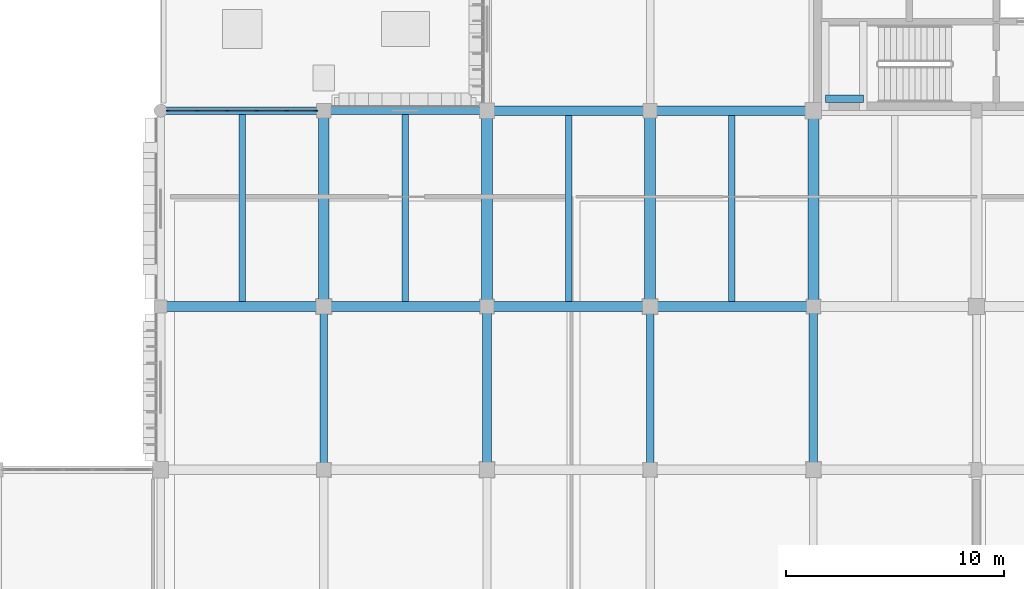
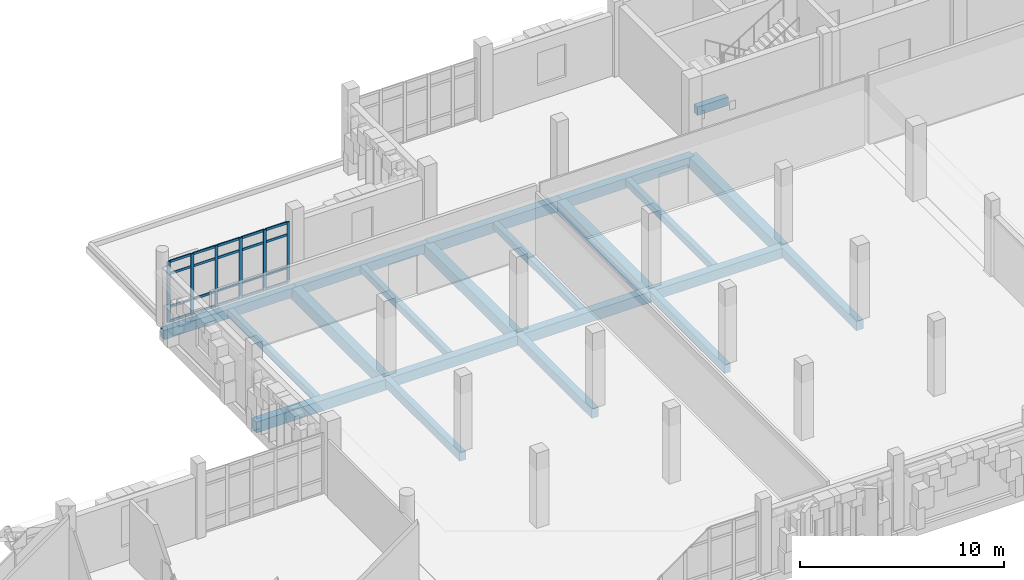
# One storey, part 49 of 128: 26 members, 21 beams, 1 element without a shape of its own.
"""IFC4 building model written with IfcOpenShell, lengths in metres."""

from ifc_helpers import new_model, si_unit, direction, frame, origin, origin_2d, place, context, subcontext, project, spatial, rectangle, extrude, material, layer, layer_set, material_profile, profile_set, type_object, element, aggregate, save


model = new_model("IFC4")

# Units and contexts
model_context = context("Model", 3, precision=1e-05, world=origin(), true_north=direction((0.0, 1.0)))
body_context = subcontext(model_context, "Body", "Model", "MODEL_VIEW")
ifc_project = project(units=[si_unit("LENGTHUNIT", "METRE"), si_unit("AREAUNIT", "SQUARE_METRE"), si_unit("VOLUMEUNIT", "CUBIC_METRE"), si_unit("PLANEANGLEUNIT", "RADIAN"), si_unit("MASSUNIT", "GRAM", prefix="KILO")], contexts=[model_context])

# Site, building, storey
site_placement = place(None, origin())
site = spatial("IfcSite", under=ifc_project, at=site_placement, CompositionType="ELEMENT")
building_placement = place(site_placement, origin())
building = spatial("IfcBuilding", under=site, at=building_placement, Name="Dalvernix Boulevard General Hospital", CompositionType="ELEMENT")
storey_placement = place(building_placement, frame((0.0, 0.0, 4.800048828125)))
storey = spatial("IfcBuildingStorey", under=building, at=storey_placement, Name="L01", CompositionType="ELEMENT", Elevation=4.800048828125)

# Beams
ifc_material_1 = material(Name="Concrete C35/45", Category="concrete")
ifc_material_profile_1 = material_profile(ifc_material_1, rectangle(XDim=0.5, YDim=0.699951171875, at=origin_2d()), Name="RCB 500x700")
ifc_profile_set_1 = profile_set([ifc_material_profile_1], Name="Concrete C35/45")
beam_type_1 = type_object("IfcBeamType", Name="BM-B-01-I", PredefinedType="BEAM", material=ifc_profile_set_1)
for number, where, z_axis, x_axis, name in (
    (1, (37.5, 100.5, -0.650146484375), (0.0, 1.0, 0.0), (-1.0, 0.0, 0.0), "L01 N-S girder 6:P-Q"),
    (2, (45.0, 100.5, -0.650146484375), (0.0, 1.0, 0.0), (-1.0, 0.0, 0.0), "L01 N-S girder 7:P-Q"),
    (3, (52.5, 100.5, -0.650146484375), (0.0, 1.0, 0.0), (-1.0, 0.0, 0.0), "L01 N-S girder 8:P-Q"),
    (4, (60.0, 100.5, -0.650146484375), (0.0, 1.0, 0.0), (-1.0, 0.0, 0.0), "L01 N-S girder 9:P-Q"),
):
    element("IfcBeam", number, at=place(storey_placement, frame(where, z_axis=z_axis, x_axis=x_axis)), inside=storey, type_object=beam_type_1, Name=name, PredefinedType="BEAM", context=body_context, shape_type="SweptSolid", body=[
        extrude(rectangle(XDim=0.5, YDim=0.699951171875, at=origin_2d()), origin(), (0.0, 0.0, 1.0), 9.0),
    ])
ifc_material_profile_2 = material_profile(ifc_material_1, rectangle(XDim=0.449951171875, YDim=0.64990234375, at=origin_2d()), Name="RCB 450x650")
ifc_profile_set_2 = profile_set([ifc_material_profile_2], Name="Concrete C35/45")
beam_type_2 = type_object("IfcBeamType", Name="BM-B-03-I", PredefinedType="BEAM", material=ifc_profile_set_2)
for number, where, z_axis, x_axis, name in (
    (5, (30.0, 100.5, -0.625), (1.0, 0.0, 0.0), (0.0, 1.0, 0.0), "L01 E-W girder P:5-6"),
    (6, (45.0, 100.5, -0.625), (1.0, 0.0, 0.0), (0.0, 1.0, 0.0), "L01 E-W girder P:7-8"),
    (7, (45.0, 109.5, -0.625), (1.0, 0.0, 0.0), (0.0, 1.0, 0.0), "L01 E-W girder Q:7-8"),
):
    element("IfcBeam", number, at=place(storey_placement, frame(where, z_axis=z_axis, x_axis=x_axis)), inside=storey, type_object=beam_type_2, Name=name, PredefinedType="BEAM", context=body_context, shape_type="SweptSolid", body=[
        extrude(rectangle(XDim=0.449951171875, YDim=0.64990234375, at=origin_2d()), origin(), (0.0, 0.0, 1.0), 7.5),
    ])
ifc_material_profile_3 = material_profile(ifc_material_1, rectangle(XDim=0.449951171875, YDim=0.60009765625, at=origin_2d()), Name="RCB 450x600")
ifc_profile_set_3 = profile_set([ifc_material_profile_3], Name="Concrete C35/45")
beam_type_3 = type_object("IfcBeamType", Name="BM-B-04-I", PredefinedType="BEAM", material=ifc_profile_set_3)
for number, where, z_axis, x_axis, name in (
    (8, (37.5, 100.5, -0.60009765625), (1.0, 0.0, 0.0), (0.0, 1.0, 0.0), "L01 E-W girder P:6-7"),
    (9, (52.5, 100.5, -0.60009765625), (1.0, 0.0, 0.0), (0.0, 1.0, 0.0), "L01 E-W girder P:8-9"),
    (10, (52.5, 109.5, -0.60009765625), (1.0, 0.0, 0.0), (0.0, 1.0, 0.0), "L01 E-W girder Q:8-9"),
):
    element("IfcBeam", number, at=place(storey_placement, frame(where, z_axis=z_axis, x_axis=x_axis)), inside=storey, type_object=beam_type_3, Name=name, PredefinedType="BEAM", context=body_context, shape_type="SweptSolid", body=[
        extrude(rectangle(XDim=0.449951171875, YDim=0.60009765625, at=origin_2d()), origin(), (0.0, 0.0, 1.0), 7.5),
    ])
ifc_material_profile_4 = material_profile(ifc_material_1, rectangle(XDim=0.39990234375, YDim=0.550048828125, at=origin_2d()), Name="RCB 400x550")
ifc_profile_set_4 = profile_set([ifc_material_profile_4], Name="Concrete C35/45")
beam_type_4 = type_object("IfcBeamType", Name="BM-B-06-I", PredefinedType="BEAM", material=ifc_profile_set_4)
for number, where, z_axis, x_axis, name in (
    (11, (45.0, 93.0, -0.574951171875), (0.0, 1.0, 0.0), (-1.0, 0.0, 0.0), "L01 N-S girder 7:N-P"),
    (12, (60.0, 93.0, -0.574951171875), (0.0, 1.0, 0.0), (-1.0, 0.0, 0.0), "L01 N-S girder 9:N-P"),
):
    element("IfcBeam", number, at=place(storey_placement, frame(where, z_axis=z_axis, x_axis=x_axis)), inside=storey, type_object=beam_type_4, Name=name, PredefinedType="BEAM", context=body_context, shape_type="SweptSolid", body=[
        extrude(rectangle(XDim=0.39990234375, YDim=0.550048828125, at=origin_2d()), origin(), (0.0, 0.0, 1.0), 7.5),
    ])
ifc_material_profile_5 = material_profile(ifc_material_1, rectangle(XDim=0.35009765625, YDim=0.5, at=origin_2d()), Name="RCB 350x500")
ifc_profile_set_5 = profile_set([ifc_material_profile_5], Name="Concrete C35/45")
beam_type_5 = type_object("IfcBeamType", Name="BM-B-08", PredefinedType="BEAM", material=ifc_profile_set_5)
beam_placement = place(storey_placement, frame((60.550048828125, 110.050048828125, 1.800048828125), z_axis=(1.0, 0.0, 0.0), x_axis=(0.0, 1.0, 0.0)))
element("IfcBeam", 13, at=beam_placement, inside=storey, type_object=beam_type_5, Name="L01 C3 stair half-landing tie beam", PredefinedType="BEAM", context=body_context, shape_type="SweptSolid", body=[
    extrude(rectangle(XDim=0.35009765625, YDim=0.5, at=origin_2d()), origin(), (0.0, 0.0, 1.0), 1.75),
])
ifc_material_profile_6 = material_profile(ifc_material_1, rectangle(XDim=0.35009765625, YDim=0.5, at=origin_2d()), Name="RCB 350x500")
ifc_profile_set_6 = profile_set([ifc_material_profile_6], Name="Concrete C35/45")
beam_type_6 = type_object("IfcBeamType", Name="BM-B-08-I", PredefinedType="BEAM", material=ifc_profile_set_6)
for number, where, z_axis, x_axis, name in (
    (14, (37.5, 93.0, -0.550048828125), (0.0, 1.0, 0.0), (-1.0, 0.0, 0.0), "L01 N-S girder 6:N-P"),
    (15, (52.5, 93.0, -0.550048828125), (0.0, 1.0, 0.0), (-1.0, 0.0, 0.0), "L01 N-S girder 8:N-P"),
):
    element("IfcBeam", number, at=place(storey_placement, frame(where, z_axis=z_axis, x_axis=x_axis)), inside=storey, type_object=beam_type_6, Name=name, PredefinedType="BEAM", context=body_context, shape_type="SweptSolid", body=[
        extrude(rectangle(XDim=0.35009765625, YDim=0.5, at=origin_2d()), origin(), (0.0, 0.0, 1.0), 7.5),
    ])
ifc_material_profile_7 = material_profile(ifc_material_1, rectangle(XDim=0.300048828125, YDim=0.39990234375, at=origin_2d()), Name="RCB 300x400")
ifc_profile_set_7 = profile_set([ifc_material_profile_7], Name="Concrete C35/45")
beam_type_7 = type_object("IfcBeamType", Name="BM-JB-01", PredefinedType="JOIST", material=ifc_profile_set_7)
for number, where, z_axis, x_axis, name in (
    (16, (33.75, 100.72509765625, -0.5), (0.0, 1.0, 0.0), (-1.0, 0.0, 0.0), "L01 secondary floor beam 5-P"),
    (17, (41.25, 100.72509765625, -0.5), (0.0, 1.0, 0.0), (-1.0, 0.0, 0.0), "L01 secondary floor beam 6-P"),
):
    element("IfcBeam", number, at=place(storey_placement, frame(where, z_axis=z_axis, x_axis=x_axis)), inside=storey, type_object=beam_type_7, Name=name, PredefinedType="JOIST", context=body_context, shape_type="SweptSolid", body=[
        extrude(rectangle(XDim=0.300048828125, YDim=0.39990234375, at=origin_2d()), origin(), (0.0, 0.0, 1.0), 8.599853515625),
    ])
for number, where, z_axis, x_axis, name in (
    (18, (48.75, 100.72509765625, -0.5), (0.0, 1.0, 0.0), (-1.0, 0.0, 0.0), "L01 secondary floor beam 7-P"),
    (19, (56.25, 100.72509765625, -0.5), (0.0, 1.0, 0.0), (-1.0, 0.0, 0.0), "L01 secondary floor beam 8-P"),
):
    element("IfcBeam", number, at=place(storey_placement, frame(where, z_axis=z_axis, x_axis=x_axis)), inside=storey, type_object=beam_type_7, Name=name, PredefinedType="JOIST", context=body_context, shape_type="SweptSolid", body=[
        extrude(rectangle(XDim=0.300048828125, YDim=0.39990234375, at=origin_2d()), origin(), (0.0, 0.0, 1.0), 8.5498046875),
    ])
ifc_material_profile_8 = material_profile(ifc_material_1, rectangle(XDim=0.35009765625, YDim=0.550048828125, at=origin_2d()), Name="RCB 350x550")
ifc_profile_set_8 = profile_set([ifc_material_profile_8], Name="Concrete C35/45")
beam_type_8 = type_object("IfcBeamType", Name="BM-SB-01-E", PredefinedType="SPANDREL", material=ifc_profile_set_8)
for number, where, z_axis, x_axis, name in (
    (20, (30.0, 109.5, -0.574951171875), (1.0, 0.0, 0.0), (0.0, 1.0, 0.0), "L01 E-W girder Q:5-6"),
    (21, (37.5, 109.5, -0.574951171875), (1.0, 0.0, 0.0), (0.0, 1.0, 0.0), "L01 E-W girder Q:6-7"),
):
    element("IfcBeam", number, at=place(storey_placement, frame(where, z_axis=z_axis, x_axis=x_axis)), inside=storey, type_object=beam_type_8, Name=name, PredefinedType="SPANDREL", context=body_context, shape_type="SweptSolid", body=[
        extrude(rectangle(XDim=0.35009765625, YDim=0.550048828125, at=origin_2d()), origin(), (0.0, 0.0, 1.0), 7.5),
    ])

# Curtain wall, members
ifc_material_2 = material(Name="Thermally broken aluminium and solar-control glass curtain wall", Category="aluminium")
ifc_layer = layer(ifc_material_2, 0.179931640625)
ifc_layer_set = layer_set([ifc_layer], Name="Thermally broken aluminium and solar-control glass curtain wall (CW-CW-B-69x36)")
curtain_wall_type = type_object("IfcCurtainWallType", Name="CW-CW-B-69x36", PredefinedType="USERDEFINED", material=ifc_layer_set)
curtain_wall_placement = place(storey_placement, origin())
curtain_wall = element("IfcCurtainWall", 22, at=curtain_wall_placement, inside=storey, type_object=curtain_wall_type, Name="L01 curtain wall CW-B-69x36 4-14", ObjectType="GLAZED FACADE", PredefinedType="USERDEFINED")
ifc_material_3 = material(Name="Aluminium EN AW-6060", Category="aluminium")
ifc_material_profile_9 = material_profile(ifc_material_3, rectangle(XDim=0.06494140625, YDim=0.179931640625, at=origin_2d()), Name="ALU MULL 65x180")
ifc_profile_set_9 = profile_set([ifc_material_profile_9], Name="Aluminium EN AW-6060")
member_type_1 = type_object("IfcMemberType", Name="MEM-CW-M2", PredefinedType="MULLION", material=ifc_profile_set_9)
member_1_placement = place(storey_placement, frame((30.342529296875, 109.5, 0.0), z_axis=(0.0, 0.0, 1.0), x_axis=(0.0, 1.0, 0.0)))
member_1 = element("IfcMember", 23, at=member_1_placement, type_object=member_type_1, Name="CW-B-69x36 mullion 1", PredefinedType="MULLION", context=body_context, shape_type="SweptSolid", body=[
    extrude(rectangle(XDim=0.06494140625, YDim=0.179931640625, at=origin_2d()), origin(), (0.0, 0.0, 1.0), 3.6298828125),
])
member_2_placement = place(storey_placement, frame((31.680908203125, 109.5, 0.0), z_axis=(0.0, 0.0, 1.0), x_axis=(0.0, 1.0, 0.0)))
member_2 = element("IfcMember", 24, at=member_2_placement, type_object=member_type_1, Name="CW-B-69x36 mullion 2", PredefinedType="MULLION", context=body_context, shape_type="SweptSolid", body=[
    extrude(rectangle(XDim=0.06494140625, YDim=0.179931640625, at=origin_2d()), origin(), (0.0, 0.0, 1.0), 3.6298828125),
])
member_3_placement = place(storey_placement, frame((33.052001953125, 109.5, 0.0), z_axis=(0.0, 0.0, 1.0), x_axis=(0.0, 1.0, 0.0)))
member_3 = element("IfcMember", 25, at=member_3_placement, type_object=member_type_1, Name="CW-B-69x36 mullion 3", PredefinedType="MULLION", context=body_context, shape_type="SweptSolid", body=[
    extrude(rectangle(XDim=0.06494140625, YDim=0.179931640625, at=origin_2d()), origin(), (0.0, 0.0, 1.0), 3.6298828125),
])
member_4_placement = place(storey_placement, frame((34.423095703125, 109.5, 0.0), z_axis=(0.0, 0.0, 1.0), x_axis=(0.0, 1.0, 0.0)))
member_4 = element("IfcMember", 26, at=member_4_placement, type_object=member_type_1, Name="CW-B-69x36 mullion 4", PredefinedType="MULLION", context=body_context, shape_type="SweptSolid", body=[
    extrude(rectangle(XDim=0.06494140625, YDim=0.179931640625, at=origin_2d()), origin(), (0.0, 0.0, 1.0), 3.6298828125),
])
member_5_placement = place(storey_placement, frame((35.7939453125, 109.5, 0.0), z_axis=(0.0, 0.0, 1.0), x_axis=(0.0, 1.0, 0.0)))
member_5 = element("IfcMember", 27, at=member_5_placement, type_object=member_type_1, Name="CW-B-69x36 mullion 5", PredefinedType="MULLION", context=body_context, shape_type="SweptSolid", body=[
    extrude(rectangle(XDim=0.06494140625, YDim=0.179931640625, at=origin_2d()), origin(), (0.0, 0.0, 1.0), 3.6298828125),
])
member_6_placement = place(storey_placement, frame((37.132568359375, 109.5, 0.0), z_axis=(0.0, 0.0, 1.0), x_axis=(0.0, 1.0, 0.0)))
member_6 = element("IfcMember", 28, at=member_6_placement, type_object=member_type_1, Name="CW-B-69x36 mullion 6", PredefinedType="MULLION", context=body_context, shape_type="SweptSolid", body=[
    extrude(rectangle(XDim=0.06494140625, YDim=0.179931640625, at=origin_2d()), origin(), (0.0, 0.0, 1.0), 3.6298828125),
])
ifc_material_profile_10 = material_profile(ifc_material_3, rectangle(XDim=0.06494140625, YDim=0.139892578125, at=origin_2d()), Name="ALU TRAN 65x140")
ifc_profile_set_10 = profile_set([ifc_material_profile_10], Name="Aluminium EN AW-6060")
member_type_2 = type_object("IfcMemberType", Name="MEM-CW-T2", PredefinedType="USERDEFINED", material=ifc_profile_set_10)
member_7_placement = place(storey_placement, frame((30.375, 109.5, 0.032470703125), z_axis=(1.0, 0.0, 0.0), x_axis=(0.0, 1.0, 0.0)))
member_7 = element("IfcMember", 29, at=member_7_placement, type_object=member_type_2, Name="CW-B-69x36 transom 1.1", ObjectType="TRANSOM", PredefinedType="USERDEFINED", context=body_context, shape_type="SweptSolid", body=[
    extrude(rectangle(XDim=0.06494140625, YDim=0.139892578125, at=origin_2d()), origin(), (0.0, 0.0, 1.0), 1.2734375),
])
member_8_placement = place(storey_placement, frame((30.375, 109.5, 0.89990234375), z_axis=(1.0, 0.0, 0.0), x_axis=(0.0, 1.0, 0.0)))
member_8 = element("IfcMember", 30, at=member_8_placement, type_object=member_type_2, Name="CW-B-69x36 transom 1.2", ObjectType="TRANSOM", PredefinedType="USERDEFINED", context=body_context, shape_type="SweptSolid", body=[
    extrude(rectangle(XDim=0.06494140625, YDim=0.139892578125, at=origin_2d()), origin(), (0.0, 0.0, 1.0), 1.2734375),
])
member_9_placement = place(storey_placement, frame((30.375, 109.5, 2.8798828125), z_axis=(1.0, 0.0, 0.0), x_axis=(0.0, 1.0, 0.0)))
member_9 = element("IfcMember", 31, at=member_9_placement, type_object=member_type_2, Name="CW-B-69x36 transom 1.3", ObjectType="TRANSOM", PredefinedType="USERDEFINED", context=body_context, shape_type="SweptSolid", body=[
    extrude(rectangle(XDim=0.06494140625, YDim=0.139892578125, at=origin_2d()), origin(), (0.0, 0.0, 1.0), 1.2734375),
])
member_10_placement = place(storey_placement, frame((30.375, 109.5, 3.597412109375), z_axis=(1.0, 0.0, 0.0), x_axis=(0.0, 1.0, 0.0)))
member_10 = element("IfcMember", 32, at=member_10_placement, type_object=member_type_2, Name="CW-B-69x36 transom 1.4", ObjectType="TRANSOM", PredefinedType="USERDEFINED", context=body_context, shape_type="SweptSolid", body=[
    extrude(rectangle(XDim=0.06494140625, YDim=0.139892578125, at=origin_2d()), origin(), (0.0, 0.0, 1.0), 1.2734375),
])
member_11_placement = place(storey_placement, frame((31.71337890625, 109.5, 0.032470703125), z_axis=(1.0, 0.0, 0.0), x_axis=(0.0, 1.0, 0.0)))
member_11 = element("IfcMember", 33, at=member_11_placement, type_object=member_type_2, Name="CW-B-69x36 transom 2.1", ObjectType="TRANSOM", PredefinedType="USERDEFINED", context=body_context, shape_type="SweptSolid", body=[
    extrude(rectangle(XDim=0.06494140625, YDim=0.139892578125, at=origin_2d()), origin(), (0.0, 0.0, 1.0), 1.30615234375),
])
member_12_placement = place(storey_placement, frame((31.71337890625, 109.5, 0.89990234375), z_axis=(1.0, 0.0, 0.0), x_axis=(0.0, 1.0, 0.0)))
member_12 = element("IfcMember", 34, at=member_12_placement, type_object=member_type_2, Name="CW-B-69x36 transom 2.2", ObjectType="TRANSOM", PredefinedType="USERDEFINED", context=body_context, shape_type="SweptSolid", body=[
    extrude(rectangle(XDim=0.06494140625, YDim=0.139892578125, at=origin_2d()), origin(), (0.0, 0.0, 1.0), 1.30615234375),
])
member_13_placement = place(storey_placement, frame((31.71337890625, 109.5, 2.8798828125), z_axis=(1.0, 0.0, 0.0), x_axis=(0.0, 1.0, 0.0)))
member_13 = element("IfcMember", 35, at=member_13_placement, type_object=member_type_2, Name="CW-B-69x36 transom 2.3", ObjectType="TRANSOM", PredefinedType="USERDEFINED", context=body_context, shape_type="SweptSolid", body=[
    extrude(rectangle(XDim=0.06494140625, YDim=0.139892578125, at=origin_2d()), origin(), (0.0, 0.0, 1.0), 1.30615234375),
])
member_14_placement = place(storey_placement, frame((31.71337890625, 109.5, 3.597412109375), z_axis=(1.0, 0.0, 0.0), x_axis=(0.0, 1.0, 0.0)))
member_14 = element("IfcMember", 36, at=member_14_placement, type_object=member_type_2, Name="CW-B-69x36 transom 2.4", ObjectType="TRANSOM", PredefinedType="USERDEFINED", context=body_context, shape_type="SweptSolid", body=[
    extrude(rectangle(XDim=0.06494140625, YDim=0.139892578125, at=origin_2d()), origin(), (0.0, 0.0, 1.0), 1.30615234375),
])
member_15_placement = place(storey_placement, frame((33.08447265625, 109.5, 0.032470703125), z_axis=(1.0, 0.0, 0.0), x_axis=(0.0, 1.0, 0.0)))
member_15 = element("IfcMember", 37, at=member_15_placement, type_object=member_type_2, Name="CW-B-69x36 transom 3.1", ObjectType="TRANSOM", PredefinedType="USERDEFINED", context=body_context, shape_type="SweptSolid", body=[
    extrude(rectangle(XDim=0.06494140625, YDim=0.139892578125, at=origin_2d()), origin(), (0.0, 0.0, 1.0), 1.305908203125),
])
member_16_placement = place(storey_placement, frame((33.08447265625, 109.5, 0.89990234375), z_axis=(1.0, 0.0, 0.0), x_axis=(0.0, 1.0, 0.0)))
member_16 = element("IfcMember", 38, at=member_16_placement, type_object=member_type_2, Name="CW-B-69x36 transom 3.2", ObjectType="TRANSOM", PredefinedType="USERDEFINED", context=body_context, shape_type="SweptSolid", body=[
    extrude(rectangle(XDim=0.06494140625, YDim=0.139892578125, at=origin_2d()), origin(), (0.0, 0.0, 1.0), 1.305908203125),
])
member_17_placement = place(storey_placement, frame((33.08447265625, 109.5, 2.8798828125), z_axis=(1.0, 0.0, 0.0), x_axis=(0.0, 1.0, 0.0)))
member_17 = element("IfcMember", 39, at=member_17_placement, type_object=member_type_2, Name="CW-B-69x36 transom 3.3", ObjectType="TRANSOM", PredefinedType="USERDEFINED", context=body_context, shape_type="SweptSolid", body=[
    extrude(rectangle(XDim=0.06494140625, YDim=0.139892578125, at=origin_2d()), origin(), (0.0, 0.0, 1.0), 1.305908203125),
])
member_18_placement = place(storey_placement, frame((33.08447265625, 109.5, 3.597412109375), z_axis=(1.0, 0.0, 0.0), x_axis=(0.0, 1.0, 0.0)))
member_18 = element("IfcMember", 40, at=member_18_placement, type_object=member_type_2, Name="CW-B-69x36 transom 3.4", ObjectType="TRANSOM", PredefinedType="USERDEFINED", context=body_context, shape_type="SweptSolid", body=[
    extrude(rectangle(XDim=0.06494140625, YDim=0.139892578125, at=origin_2d()), origin(), (0.0, 0.0, 1.0), 1.305908203125),
])
member_19_placement = place(storey_placement, frame((34.45556640625, 109.5, 0.032470703125), z_axis=(1.0, 0.0, 0.0), x_axis=(0.0, 1.0, 0.0)))
member_19 = element("IfcMember", 41, at=member_19_placement, type_object=member_type_2, Name="CW-B-69x36 transom 4.1", ObjectType="TRANSOM", PredefinedType="USERDEFINED", context=body_context, shape_type="SweptSolid", body=[
    extrude(rectangle(XDim=0.06494140625, YDim=0.139892578125, at=origin_2d()), origin(), (0.0, 0.0, 1.0), 1.305908203125),
])
member_20_placement = place(storey_placement, frame((34.45556640625, 109.5, 0.89990234375), z_axis=(1.0, 0.0, 0.0), x_axis=(0.0, 1.0, 0.0)))
member_20 = element("IfcMember", 42, at=member_20_placement, type_object=member_type_2, Name="CW-B-69x36 transom 4.2", ObjectType="TRANSOM", PredefinedType="USERDEFINED", context=body_context, shape_type="SweptSolid", body=[
    extrude(rectangle(XDim=0.06494140625, YDim=0.139892578125, at=origin_2d()), origin(), (0.0, 0.0, 1.0), 1.305908203125),
])
member_21_placement = place(storey_placement, frame((34.45556640625, 109.5, 2.8798828125), z_axis=(1.0, 0.0, 0.0), x_axis=(0.0, 1.0, 0.0)))
member_21 = element("IfcMember", 43, at=member_21_placement, type_object=member_type_2, Name="CW-B-69x36 transom 4.3", ObjectType="TRANSOM", PredefinedType="USERDEFINED", context=body_context, shape_type="SweptSolid", body=[
    extrude(rectangle(XDim=0.06494140625, YDim=0.139892578125, at=origin_2d()), origin(), (0.0, 0.0, 1.0), 1.305908203125),
])
member_22_placement = place(storey_placement, frame((34.45556640625, 109.5, 3.597412109375), z_axis=(1.0, 0.0, 0.0), x_axis=(0.0, 1.0, 0.0)))
member_22 = element("IfcMember", 44, at=member_22_placement, type_object=member_type_2, Name="CW-B-69x36 transom 4.4", ObjectType="TRANSOM", PredefinedType="USERDEFINED", context=body_context, shape_type="SweptSolid", body=[
    extrude(rectangle(XDim=0.06494140625, YDim=0.139892578125, at=origin_2d()), origin(), (0.0, 0.0, 1.0), 1.305908203125),
])
member_23_placement = place(storey_placement, frame((35.826416015625, 109.5, 0.032470703125), z_axis=(1.0, 0.0, 0.0), x_axis=(0.0, 1.0, 0.0)))
member_23 = element("IfcMember", 45, at=member_23_placement, type_object=member_type_2, Name="CW-B-69x36 transom 5.1", ObjectType="TRANSOM", PredefinedType="USERDEFINED", context=body_context, shape_type="SweptSolid", body=[
    extrude(rectangle(XDim=0.06494140625, YDim=0.139892578125, at=origin_2d()), origin(), (0.0, 0.0, 1.0), 1.273681640625),
])
member_24_placement = place(storey_placement, frame((35.826416015625, 109.5, 0.89990234375), z_axis=(1.0, 0.0, 0.0), x_axis=(0.0, 1.0, 0.0)))
member_24 = element("IfcMember", 46, at=member_24_placement, type_object=member_type_2, Name="CW-B-69x36 transom 5.2", ObjectType="TRANSOM", PredefinedType="USERDEFINED", context=body_context, shape_type="SweptSolid", body=[
    extrude(rectangle(XDim=0.06494140625, YDim=0.139892578125, at=origin_2d()), origin(), (0.0, 0.0, 1.0), 1.273681640625),
])
member_25_placement = place(storey_placement, frame((35.826416015625, 109.5, 2.8798828125), z_axis=(1.0, 0.0, 0.0), x_axis=(0.0, 1.0, 0.0)))
member_25 = element("IfcMember", 47, at=member_25_placement, type_object=member_type_2, Name="CW-B-69x36 transom 5.3", ObjectType="TRANSOM", PredefinedType="USERDEFINED", context=body_context, shape_type="SweptSolid", body=[
    extrude(rectangle(XDim=0.06494140625, YDim=0.139892578125, at=origin_2d()), origin(), (0.0, 0.0, 1.0), 1.273681640625),
])
member_26_placement = place(storey_placement, frame((35.826416015625, 109.5, 3.597412109375), z_axis=(1.0, 0.0, 0.0), x_axis=(0.0, 1.0, 0.0)))
member_26 = element("IfcMember", 48, at=member_26_placement, type_object=member_type_2, Name="CW-B-69x36 transom 5.4", ObjectType="TRANSOM", PredefinedType="USERDEFINED", context=body_context, shape_type="SweptSolid", body=[
    extrude(rectangle(XDim=0.06494140625, YDim=0.139892578125, at=origin_2d()), origin(), (0.0, 0.0, 1.0), 1.273681640625),
])
aggregate(curtain_wall, [member_1, member_2, member_3, member_4, member_5, member_6, member_7, member_8, member_9, member_10, member_11, member_12, member_13, member_14, member_15, member_16, member_17, member_18, member_19, member_20, member_21, member_22, member_23, member_24, member_25, member_26])

save(model, "model.ifc")
